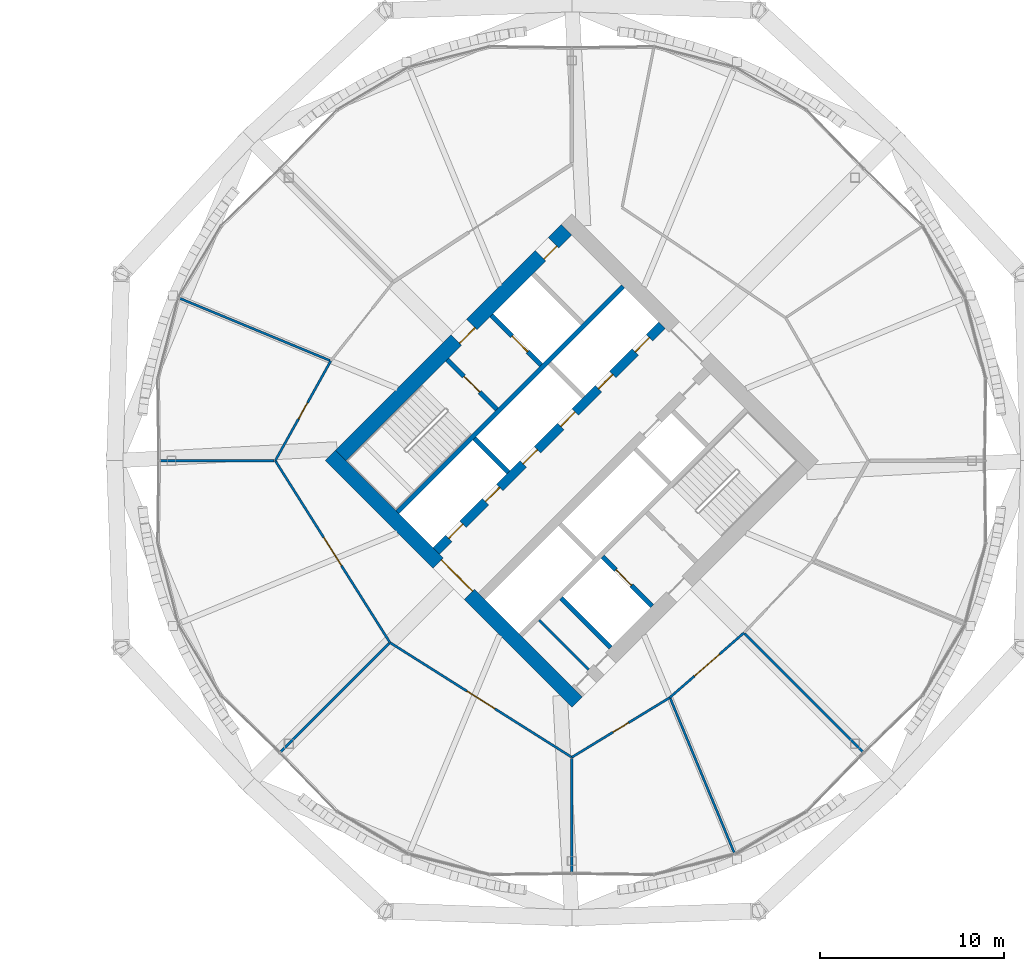
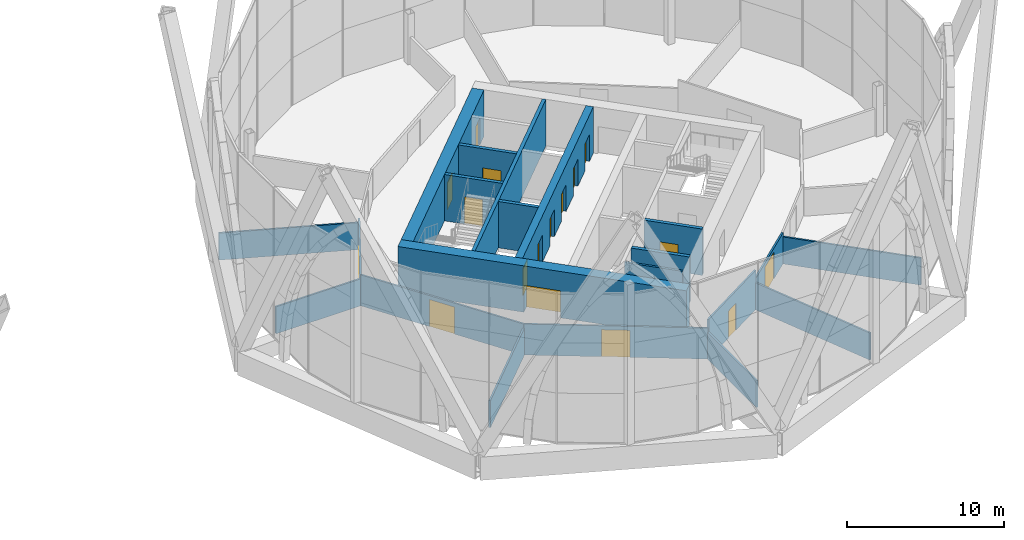
# One storey, part 30 of 37: 21 walls, 17 doors, 17 openings.
"""IFC4 building model written with IfcOpenShell, lengths in metres."""

from ifc_helpers import new_model, si_unit, direction, frame, frame_2d, origin, place, context, subcontext, project, spatial, rectangle, extrude, material, layer, layer_set, type_object, element, fill, save


model = new_model("IFC4")

# Units and contexts
model_context = context("Model", 3, precision=1e-05, world=origin(), true_north=direction((0.0, 1.0)))
body_context = subcontext(model_context, "Body", "Model", "MODEL_VIEW")
ifc_project = project(units=[si_unit("LENGTHUNIT", "METRE"), si_unit("AREAUNIT", "SQUARE_METRE"), si_unit("VOLUMEUNIT", "CUBIC_METRE"), si_unit("PLANEANGLEUNIT", "RADIAN"), si_unit("MASSUNIT", "GRAM", prefix="KILO")], contexts=[model_context])

# Site, building, storey
site_placement = place(None, origin())
site = spatial("IfcSite", under=ifc_project, at=site_placement, CompositionType="ELEMENT")
building_placement = place(site_placement, origin())
building = spatial("IfcBuilding", under=site, at=building_placement, Name="Ogive Gate Towers", CompositionType="ELEMENT")
storey_placement = place(building_placement, frame((0.0, 0.0, 32.39990234375)))
storey = spatial("IfcBuildingStorey", under=building, at=storey_placement, Name="L06", CompositionType="ELEMENT", Elevation=32.39990234375)

# Wall, openings, doors
ifc_material_1 = material(Name="Concrete C60/75", Category="concrete")
ifc_layer_1 = layer(ifc_material_1, 0.800048828125)
ifc_layer_set_1 = layer_set([ifc_layer_1], Name="Core wall 800 mm")
wall_type_1 = type_object("IfcWallType", Name="Core wall 800 mm", PredefinedType="SHEAR", material=ifc_layer_set_1)
wall_1_placement = place(storey_placement, frame((23.41357421875, 0.28271484375, 0.0), z_axis=(0.0, 0.0, 1.0), x_axis=(0.707106781187, 0.707106781187, 0.0)))
wall_1 = element("IfcWall", 1, at=wall_1_placement, inside=storey, type_object=wall_type_1, Name="T2 L06 Core wall 800 mm", PredefinedType="SHEAR", context=body_context, shape_type="SweptSolid", body=[
    extrude(rectangle(XDim=17.400146484375, YDim=0.800048828125, at=frame_2d((8.7001953125, 0.0))), origin(), (0.0, 0.0, 1.0), 3.60009765625),
])
opening_1_placement = place(wall_1_placement, frame((8.89990234375, 0.0, 0.0)))
opening_1 = element("IfcOpeningElement", 2, at=opening_1_placement, cuts=wall_1, Name="Opening KD-T2-L06-15", PredefinedType="OPENING", context=body_context, shape_type="SweptSolid", body=[
    extrude(rectangle(XDim=1.199951171875, YDim=2.10009765625, at=frame_2d((0.60009765625, 1.050048828125))), frame((0.0, 0.41015625, 0.0), z_axis=(0.0, -1.0, 0.0), x_axis=(1.0, 0.0, 0.0)), (0.0, 0.0, 1.0), 0.820068359375),
])
opening_2_placement = place(wall_1_placement, frame((15.39990234375, 0.0, 0.0)))
opening_2 = element("IfcOpeningElement", 3, at=opening_2_placement, cuts=wall_1, Name="Opening KD-T2-L06-17", PredefinedType="OPENING", context=body_context, shape_type="SweptSolid", body=[
    extrude(rectangle(XDim=1.0, YDim=2.10009765625, at=frame_2d((0.5, 1.050048828125))), frame((0.0, 0.41015625, 0.0), z_axis=(0.0, -1.0, 0.0), x_axis=(1.0, 0.0, 0.0)), (0.0, 0.0, 1.0), 0.820068359375),
])
ifc_material_2 = material(Name="Timber door", Category="wood")
door_type_1 = type_object("IfcDoorType", Name="Accessible WC door 1000 x 2100", OperationType="NOTDEFINED", PredefinedType="DOOR", material=ifc_material_2)
door_1_placement = place(opening_2_placement, origin())
door_1 = element("IfcDoor", 4, at=door_1_placement, inside=storey, type_object=door_type_1, Name="T2 L06 Core door", OperationType="SINGLE_SWING_RIGHT", OverallHeight=2.10009765625, OverallWidth=1.0, PredefinedType="DOOR", context=body_context, shape_type="SweptSolid", body=[
    extrude(rectangle(XDim=1.0, YDim=2.10009765625, at=frame_2d((0.5, 1.050048828125))), frame((0.0, -0.22509765625, 0.0), z_axis=(0.0, -1.0, 0.0), x_axis=(1.0, 0.0, 0.0)), (0.0, 0.0, 1.0), 0.050048828125),
])
fill(opening_2, door_1)
ifc_material_3 = material(Name="Steel fire door", Category="steel")
door_type_2 = type_object("IfcDoorType", Name="Core door FD60S 1200 x 2100", OperationType="NOTDEFINED", PredefinedType="DOOR", material=ifc_material_3)
door_2_placement = place(opening_1_placement, origin())
door_2 = element("IfcDoor", 5, at=door_2_placement, inside=storey, type_object=door_type_2, Name="T2 L06 Fire-fighting lobby door", OperationType="SINGLE_SWING_RIGHT", OverallHeight=2.10009765625, OverallWidth=1.199951171875, PredefinedType="DOOR", context=body_context, shape_type="SweptSolid", body=[
    extrude(rectangle(XDim=1.199951171875, YDim=2.10009765625, at=frame_2d((0.60009765625, 1.050048828125))), frame((0.0, -0.22509765625, 0.0), z_axis=(0.0, -1.0, 0.0), x_axis=(1.0, 0.0, 0.0)), (0.0, 0.0, 1.0), 0.050048828125),
])
fill(opening_1, door_2)

# Wall, opening, door
wall_2_placement = place(storey_placement, frame((36.28271484375, -13.152099609375, 0.0), z_axis=(0.0, 0.0, 1.0), x_axis=(-0.707106781187, 0.707106781187, 0.0)))
wall_2 = element("IfcWall", 6, at=wall_2_placement, inside=storey, type_object=wall_type_1, Name="T2 L06 Core wall 800 mm", PredefinedType="SHEAR", context=body_context, shape_type="SweptSolid", body=[
    extrude(rectangle(XDim=18.999755859375, YDim=0.800048828125, at=frame_2d((9.5, 0.0))), origin(), (0.0, 0.0, 1.0), 3.60009765625),
])
opening_3_placement = place(wall_2_placement, frame((8.300048828125, 0.0, 0.0)))
opening_3 = element("IfcOpeningElement", 7, at=opening_3_placement, cuts=wall_2, Name="Opening KD-T2-L06-01", PredefinedType="OPENING", context=body_context, shape_type="SweptSolid", body=[
    extrude(rectangle(XDim=2.39990234375, YDim=2.10009765625, at=frame_2d((1.199951171875, 1.050048828125))), frame((0.0, 0.41015625, 0.0), z_axis=(0.0, -1.0, 0.0), x_axis=(1.0, 0.0, 0.0)), (0.0, 0.0, 1.0), 0.820068359375),
])
door_type_3 = type_object("IfcDoorType", Name="Core double door FD60S 2400 x 2100", OperationType="DOUBLE_DOOR_SINGLE_SWING", PredefinedType="DOOR", material=ifc_material_3)
door_3_placement = place(opening_3_placement, origin())
door_3 = element("IfcDoor", 8, at=door_3_placement, inside=storey, type_object=door_type_3, Name="T2 L06 Core door double", OperationType="DOUBLE_DOOR_SINGLE_SWING", OverallHeight=2.10009765625, OverallWidth=2.39990234375, PredefinedType="DOOR", context=body_context, shape_type="SweptSolid", body=[
    extrude(rectangle(XDim=2.39990234375, YDim=2.10009765625, at=frame_2d((1.199951171875, 1.050048828125))), frame((0.0, -0.22509765625, 0.0), z_axis=(0.0, -1.0, 0.0), x_axis=(1.0, 0.0, 0.0)), (0.0, 0.0, 1.0), 0.050048828125),
])
fill(opening_3, door_3)

# Walls
ifc_material_4 = material(Name="Gypsum board partition")
ifc_layer_2 = layer(ifc_material_4, 0.125)
ifc_layer_set_2 = layer_set([ifc_layer_2], Name="Partition 125")
wall_type_2 = type_object("IfcWallType", Name="Partition 125", PredefinedType="PARTITIONING", material=ifc_layer_set_2)
wall_3_placement = place(storey_placement, frame((14.547119140625, 8.885986328125, 0.0), z_axis=(0.0, 0.0, 1.0), x_axis=(0.923883404606, -0.382674084169, 0.0)))
element("IfcWall", 9, at=wall_3_placement, inside=storey, type_object=wall_type_2, Name="Partition T2-L06-006", PredefinedType="PARTITIONING", context=body_context, shape_type="SweptSolid", body=[
    extrude(rectangle(XDim=8.942626953125, YDim=0.125, at=frame_2d((4.47119140625, 0.0))), origin(), (0.0, 0.0, 1.0), 2.10009765625),
])
wall_4_placement = place(storey_placement, frame((13.591064453125, 0.0, 0.0), z_axis=(0.0, 0.0, 1.0), x_axis=(1.0, 0.0, 0.0)))
element("IfcWall", 10, at=wall_4_placement, inside=storey, type_object=wall_type_2, Name="Partition T2-L06-007", PredefinedType="PARTITIONING", context=body_context, shape_type="SweptSolid", body=[
    extrude(rectangle(XDim=6.1865234375, YDim=0.125, at=frame_2d((3.09326171875, 0.0))), origin(), (0.0, 0.0, 1.0), 2.10009765625),
])
wall_5_placement = place(storey_placement, frame((20.154296875, -15.845703125, 0.0), z_axis=(0.0, 0.0, 1.0), x_axis=(0.707106781187, 0.707106781187, 0.0)))
element("IfcWall", 11, at=wall_5_placement, inside=storey, type_object=wall_type_2, Name="Partition T2-L06-008", PredefinedType="PARTITIONING", context=body_context, shape_type="SweptSolid", body=[
    extrude(rectangle(XDim=8.332763671875, YDim=0.125, at=frame_2d((4.16650390625, 0.0))), origin(), (0.0, 0.0, 1.0), 2.10009765625),
])
wall_6_placement = place(storey_placement, frame((36.0, -22.408935546875, 0.0), z_axis=(0.0, 0.0, 1.0), x_axis=(0.0, 1.0, 0.0)))
element("IfcWall", 12, at=wall_6_placement, inside=storey, type_object=wall_type_2, Name="Partition T2-L06-009", PredefinedType="PARTITIONING", context=body_context, shape_type="SweptSolid", body=[
    extrude(rectangle(XDim=6.1865234375, YDim=0.125, at=frame_2d((3.09326171875, 0.0))), origin(), (0.0, 0.0, 1.0), 2.10009765625),
])
wall_7_placement = place(storey_placement, frame((44.885986328125, -21.452880859375, 0.0), z_axis=(0.0, 0.0, 1.0), x_axis=(-0.382668439305, 0.923885742698, 0.0)))
element("IfcWall", 13, at=wall_7_placement, inside=storey, type_object=wall_type_2, Name="Partition T2-L06-010", PredefinedType="PARTITIONING", context=body_context, shape_type="SweptSolid", body=[
    extrude(rectangle(XDim=9.19287109375, YDim=0.125, at=frame_2d((4.596435546875, 0.0))), origin(), (0.0, 0.0, 1.0), 2.10009765625),
])
wall_8_placement = place(storey_placement, frame((51.845703125, -15.845703125, 0.0), z_axis=(0.0, 0.0, 1.0), x_axis=(-0.707106781187, 0.707106781187, 0.0)))
element("IfcWall", 14, at=wall_8_placement, inside=storey, type_object=wall_type_2, Name="Partition T2-L06-011", PredefinedType="PARTITIONING", context=body_context, shape_type="SweptSolid", body=[
    extrude(rectangle(XDim=9.08251953125, YDim=0.125, at=frame_2d((4.541259765625, 0.0))), origin(), (0.0, 0.0, 1.0), 2.10009765625),
])

# Wall, opening, door
wall_9_placement = place(storey_placement, frame((22.866943359375, 5.43994140625, 0.0), z_axis=(0.0, 0.0, 1.0), x_axis=(-0.486215546884, -0.873838910766, 0.0)))
wall_9 = element("IfcWall", 15, at=wall_9_placement, inside=storey, type_object=wall_type_2, Name="Partition T2-L06-015", PredefinedType="PARTITIONING", context=body_context, shape_type="SweptSolid", body=[
    extrude(rectangle(XDim=6.225341796875, YDim=0.125, at=frame_2d((3.11279296875, 0.0))), origin(), (0.0, 0.0, 1.0), 2.400146484375),
])
opening_4_placement = place(wall_9_placement, frame((2.613037109375, 0.0, 0.0)))
opening_4 = element("IfcOpeningElement", 16, at=opening_4_placement, cuts=wall_9, Name="Opening T2-L06-D03", PredefinedType="OPENING", context=body_context, shape_type="SweptSolid", body=[
    extrude(rectangle(XDim=1.0, YDim=2.10009765625, at=frame_2d((0.5, 1.050048828125))), frame((0.0, 0.072509765625, 0.0), z_axis=(0.0, -1.0, 0.0), x_axis=(1.0, 0.0, 0.0)), (0.0, 0.0, 1.0), 0.14501953125),
])
door_type_4 = type_object("IfcDoorType", Name="Door 1000", OperationType="NOTDEFINED", PredefinedType="DOOR", material=ifc_material_2)
door_4_placement = place(opening_4_placement, origin())
door_4 = element("IfcDoor", 17, at=door_4_placement, inside=storey, type_object=door_type_4, Name="Door T2-L06-D03", OperationType="SINGLE_SWING_RIGHT", OverallHeight=2.10009765625, OverallWidth=1.0, PredefinedType="DOOR", context=body_context, shape_type="SweptSolid", body=[
    extrude(rectangle(XDim=1.0, YDim=2.10009765625, at=frame_2d((0.5, 1.050048828125))), frame((0.0, 0.02490234375, 0.0), z_axis=(0.0, -1.0, 0.0), x_axis=(1.0, 0.0, 0.0)), (0.0, 0.0, 1.0), 0.050048828125),
])
fill(opening_4, door_4)

wall_10_placement = place(storey_placement, frame((19.840087890625, 0.0, 0.0), z_axis=(0.0, 0.0, 1.0), x_axis=(0.533498973609, -0.845800712437, 0.0)))
wall_10 = element("IfcWall", 18, at=wall_10_placement, inside=storey, type_object=wall_type_2, Name="Partition T2-L06-016", PredefinedType="PARTITIONING", context=body_context, shape_type="SweptSolid", body=[
    extrude(rectangle(XDim=11.716064453125, YDim=0.125, at=frame_2d((5.85791015625, 0.0))), origin(), (0.0, 0.0, 1.0), 2.400146484375),
])
opening_5_placement = place(wall_10_placement, frame((4.9580078125, 0.0, 0.0)))
opening_5 = element("IfcOpeningElement", 19, at=opening_5_placement, cuts=wall_10, Name="Opening T2-L06-D04", PredefinedType="OPENING", context=body_context, shape_type="SweptSolid", body=[
    extrude(rectangle(XDim=1.800048828125, YDim=2.10009765625, at=frame_2d((0.89990234375, 1.050048828125))), frame((0.0, 0.072509765625, 0.0), z_axis=(0.0, -1.0, 0.0), x_axis=(1.0, 0.0, 0.0)), (0.0, 0.0, 1.0), 0.14501953125),
])
door_type_5 = type_object("IfcDoorType", Name="Door pair 1800", OperationType="NOTDEFINED", PredefinedType="DOOR", material=ifc_material_2)
door_5_placement = place(opening_5_placement, origin())
door_5 = element("IfcDoor", 20, at=door_5_placement, inside=storey, type_object=door_type_5, Name="Door T2-L06-D04", OperationType="DOUBLE_DOOR_DOUBLE_SWING", OverallHeight=2.10009765625, OverallWidth=1.800048828125, PredefinedType="DOOR", context=body_context, shape_type="SweptSolid", body=[
    extrude(rectangle(XDim=1.800048828125, YDim=2.10009765625, at=frame_2d((0.89990234375, 1.050048828125))), frame((0.0, 0.02490234375, 0.0), z_axis=(0.0, -1.0, 0.0), x_axis=(1.0, 0.0, 0.0)), (0.0, 0.0, 1.0), 0.050048828125),
])
fill(opening_5, door_5)

wall_11_placement = place(storey_placement, frame((26.090576171875, -9.909423828125, 0.0), z_axis=(0.0, 0.0, 1.0), x_axis=(0.845800712437, -0.533498973609, 0.0)))
wall_11 = element("IfcWall", 21, at=wall_11_placement, inside=storey, type_object=wall_type_2, Name="Partition T2-L06-017", PredefinedType="PARTITIONING", context=body_context, shape_type="SweptSolid", body=[
    extrude(rectangle(XDim=11.716064453125, YDim=0.125, at=frame_2d((5.85791015625, 0.0))), origin(), (0.0, 0.0, 1.0), 2.400146484375),
])
opening_6_placement = place(wall_11_placement, frame((4.9580078125, 0.0, 0.0)))
opening_6 = element("IfcOpeningElement", 22, at=opening_6_placement, cuts=wall_11, Name="Opening T2-L06-D05", PredefinedType="OPENING", context=body_context, shape_type="SweptSolid", body=[
    extrude(rectangle(XDim=1.800048828125, YDim=2.10009765625, at=frame_2d((0.89990234375, 1.050048828125))), frame((0.0, 0.072509765625, 0.0), z_axis=(0.0, -1.0, 0.0), x_axis=(1.0, 0.0, 0.0)), (0.0, 0.0, 1.0), 0.14501953125),
])
door_6_placement = place(opening_6_placement, origin())
door_6 = element("IfcDoor", 23, at=door_6_placement, inside=storey, type_object=door_type_5, Name="Door T2-L06-D05", OperationType="DOUBLE_DOOR_DOUBLE_SWING", OverallHeight=2.10009765625, OverallWidth=1.800048828125, PredefinedType="DOOR", context=body_context, shape_type="SweptSolid", body=[
    extrude(rectangle(XDim=1.800048828125, YDim=2.10009765625, at=frame_2d((0.89990234375, 1.050048828125))), frame((0.0, 0.02490234375, 0.0), z_axis=(0.0, -1.0, 0.0), x_axis=(1.0, 0.0, 0.0)), (0.0, 0.0, 1.0), 0.050048828125),
])
fill(opening_6, door_6)

wall_12_placement = place(storey_placement, frame((36.0, -16.159912109375, 0.0), z_axis=(0.0, 0.0, 1.0), x_axis=(0.853857910754, 0.520506165423, 0.0)))
wall_12 = element("IfcWall", 24, at=wall_12_placement, inside=storey, type_object=wall_type_2, Name="Partition T2-L06-018", PredefinedType="PARTITIONING", context=body_context, shape_type="SweptSolid", body=[
    extrude(rectangle(XDim=6.259033203125, YDim=0.125, at=frame_2d((3.12939453125, 0.0))), origin(), (0.0, 0.0, 1.0), 3.050048828125),
])
opening_7_placement = place(wall_12_placement, frame((2.62890625, 0.0, 0.0)))
opening_7 = element("IfcOpeningElement", 25, at=opening_7_placement, cuts=wall_12, Name="Opening T2-L06-D06", PredefinedType="OPENING", context=body_context, shape_type="SweptSolid", body=[
    extrude(rectangle(XDim=1.0, YDim=2.10009765625, at=frame_2d((0.5, 1.050048828125))), frame((0.0, 0.072509765625, 0.0), z_axis=(0.0, -1.0, 0.0), x_axis=(1.0, 0.0, 0.0)), (0.0, 0.0, 1.0), 0.14501953125),
])
door_7_placement = place(opening_7_placement, origin())
door_7 = element("IfcDoor", 26, at=door_7_placement, inside=storey, type_object=door_type_4, Name="Door T2-L06-D06", OperationType="SINGLE_SWING_LEFT", OverallHeight=2.10009765625, OverallWidth=1.0, PredefinedType="DOOR", context=body_context, shape_type="SweptSolid", body=[
    extrude(rectangle(XDim=1.0, YDim=2.10009765625, at=frame_2d((0.5, 1.050048828125))), frame((0.0, 0.02490234375, 0.0), z_axis=(0.0, -1.0, 0.0), x_axis=(1.0, 0.0, 0.0)), (0.0, 0.0, 1.0), 0.050048828125),
])
fill(opening_7, door_7)

wall_13_placement = place(storey_placement, frame((41.34423828125, -12.902099609375, 0.0), z_axis=(0.0, 0.0, 1.0), x_axis=(0.753279307285, 0.657700756588, 0.0)))
wall_13 = element("IfcWall", 27, at=wall_13_placement, inside=storey, type_object=wall_type_2, Name="Partition T2-L06-019", PredefinedType="PARTITIONING", context=body_context, shape_type="SweptSolid", body=[
    extrude(rectangle(XDim=5.3564453125, YDim=0.125, at=frame_2d((2.67822265625, 0.0))), origin(), (0.0, 0.0, 1.0), 2.400146484375),
])
opening_8_placement = place(wall_13_placement, frame((1.778076171875, 0.0, 0.0)))
opening_8 = element("IfcOpeningElement", 28, at=opening_8_placement, cuts=wall_13, Name="Opening T2-L06-D07", PredefinedType="OPENING", context=body_context, shape_type="SweptSolid", body=[
    extrude(rectangle(XDim=1.800048828125, YDim=2.10009765625, at=frame_2d((0.89990234375, 1.050048828125))), frame((0.0, 0.072509765625, 0.0), z_axis=(0.0, -1.0, 0.0), x_axis=(1.0, 0.0, 0.0)), (0.0, 0.0, 1.0), 0.14501953125),
])
door_8_placement = place(opening_8_placement, origin())
door_8 = element("IfcDoor", 29, at=door_8_placement, inside=storey, type_object=door_type_5, Name="Door T2-L06-D07", OperationType="DOUBLE_DOOR_DOUBLE_SWING", OverallHeight=2.10009765625, OverallWidth=1.800048828125, PredefinedType="DOOR", context=body_context, shape_type="SweptSolid", body=[
    extrude(rectangle(XDim=1.800048828125, YDim=2.10009765625, at=frame_2d((0.89990234375, 1.050048828125))), frame((0.0, 0.02490234375, 0.0), z_axis=(0.0, -1.0, 0.0), x_axis=(1.0, 0.0, 0.0)), (0.0, 0.0, 1.0), 0.050048828125),
])
fill(opening_8, door_8)

# Walls
ifc_layer_3 = layer(ifc_material_4, 0.14990234375)
ifc_layer_set_3 = layer_set([ifc_layer_3], Name="Room partition 150 mm")
wall_type_3 = type_object("IfcWallType", Name="Room partition 150 mm", PredefinedType="PARTITIONING", material=ifc_layer_set_3)
wall_14_placement = place(storey_placement, frame((36.919189453125, -11.384521484375, 0.0), z_axis=(0.0, 0.0, 1.0), x_axis=(-0.707074866995, 0.707138693938, 0.0)))
element("IfcWall", 30, at=wall_14_placement, inside=storey, type_object=wall_type_3, Name="T2 L06 Room partition 150 mm", PredefinedType="PARTITIONING", context=body_context, shape_type="SweptSolid", body=[
    extrude(rectangle(XDim=3.824951171875, YDim=0.14990234375, at=frame_2d((1.91259765625, 0.0))), origin(), (0.0, 0.0, 1.0), 3.60009765625),
])
ifc_layer_4 = layer(ifc_material_1, 0.25)
ifc_layer_set_4 = layer_set([ifc_layer_4], Name="Shaft wall 250 mm")
wall_type_4 = type_object("IfcWallType", Name="Shaft wall 250 mm", PredefinedType="SHEAR", material=ifc_layer_set_4)
wall_15_placement = place(storey_placement, frame((26.489501953125, -2.793212890625, 0.0), z_axis=(0.0, 0.0, 1.0), x_axis=(0.707106781187, 0.707106781187, 0.0)))
element("IfcWall", 31, at=wall_15_placement, inside=storey, type_object=wall_type_4, Name="T2 L06 Shaft wall 250 mm", PredefinedType="SHEAR", context=body_context, shape_type="SweptSolid", body=[
    extrude(rectangle(XDim=17.400146484375, YDim=0.25, at=frame_2d((8.7001953125, 0.0))), origin(), (0.0, 0.0, 1.0), 3.60009765625),
])
wall_16_placement = place(storey_placement, frame((38.121337890625, -10.182373046875, 0.0), z_axis=(0.0, 0.0, 1.0), x_axis=(-0.707138693938, 0.707074866995, 0.0)))
element("IfcWall", 32, at=wall_16_placement, inside=storey, type_object=wall_type_4, Name="T2 L06 Shaft wall 250 mm", PredefinedType="SHEAR", context=body_context, shape_type="SweptSolid", body=[
    extrude(rectangle(XDim=3.824951171875, YDim=0.25, at=frame_2d((1.91259765625, 0.0))), origin(), (0.0, 0.0, 1.0), 3.60009765625),
])
wall_17_placement = place(storey_placement, frame((32.53515625, -0.636474609375, 0.0), z_axis=(0.0, 0.0, 1.0), x_axis=(-0.707106781187, 0.707106781187, 0.0)))
element("IfcWall", 33, at=wall_17_placement, inside=storey, type_object=wall_type_4, Name="T2 L06 Shaft wall 250 mm", PredefinedType="SHEAR", context=body_context, shape_type="SweptSolid", body=[
    extrude(rectangle(XDim=2.625, YDim=0.25, at=frame_2d((1.3125, 0.0))), origin(), (0.0, 0.0, 1.0), 3.60009765625),
])

# Wall, opening, door
wall_18_placement = place(storey_placement, frame((40.384033203125, -7.919677734375, 0.0), z_axis=(0.0, 0.0, 1.0), x_axis=(-0.707074866995, 0.707138693938, 0.0)))
wall_18 = element("IfcWall", 34, at=wall_18_placement, inside=storey, type_object=wall_type_4, Name="T2 L06 Shaft wall 250 mm", PredefinedType="SHEAR", context=body_context, shape_type="SweptSolid", body=[
    extrude(rectangle(XDim=3.824951171875, YDim=0.25, at=frame_2d((1.91259765625, 0.0))), origin(), (0.0, 0.0, 1.0), 3.60009765625),
])
opening_9_placement = place(wall_18_placement, frame((1.60009765625, 0.0, 0.0)))
opening_9 = element("IfcOpeningElement", 35, at=opening_9_placement, cuts=wall_18, Name="Opening LD-T2-L06-11", PredefinedType="OPENING", context=body_context, shape_type="SweptSolid", body=[
    extrude(rectangle(XDim=1.199951171875, YDim=2.10009765625, at=frame_2d((0.60009765625, 1.050048828125))), frame((0.0, 0.135009765625, 0.0), z_axis=(0.0, -1.0, 0.0), x_axis=(1.0, 0.0, 0.0)), (0.0, 0.0, 1.0), 0.27001953125),
])
ifc_material_5 = material(Name="Stainless steel landing door", Category="steel")
door_type_6 = type_object("IfcDoorType", Name="Landing door 1200 x 2100", OperationType="SLIDING_TO_LEFT", PredefinedType="DOOR", material=ifc_material_5)
door_9_placement = place(opening_9_placement, origin())
door_9 = element("IfcDoor", 36, at=door_9_placement, inside=storey, type_object=door_type_6, Name="T2 L06 Lift landing door FF2", OperationType="SLIDING_TO_LEFT", OverallHeight=2.10009765625, OverallWidth=1.199951171875, PredefinedType="DOOR", context=body_context, shape_type="SweptSolid", body=[
    extrude(rectangle(XDim=1.199951171875, YDim=2.10009765625, at=frame_2d((0.60009765625, 1.050048828125))), frame((0.0, 0.02490234375, 0.0), z_axis=(0.0, -1.0, 0.0), x_axis=(1.0, 0.0, 0.0)), (0.0, 0.0, 1.0), 0.050048828125),
])
fill(opening_9, door_9)

wall_19_placement = place(storey_placement, frame((31.91650390625, 2.810791015625, 0.0), z_axis=(0.0, 0.0, 1.0), x_axis=(-0.707106781187, 0.707106781187, 0.0)))
wall_19 = element("IfcWall", 37, at=wall_19_placement, inside=storey, type_object=wall_type_4, Name="T2 L06 Shaft wall 250 mm", PredefinedType="SHEAR", context=body_context, shape_type="SweptSolid", body=[
    extrude(rectangle(XDim=3.824951171875, YDim=0.25, at=frame_2d((1.91259765625, 0.0))), origin(), (0.0, 0.0, 1.0), 3.60009765625),
])
opening_10_placement = place(wall_19_placement, frame((1.324951171875, 0.0, 0.0)))
opening_10 = element("IfcOpeningElement", 38, at=opening_10_placement, cuts=wall_19, Name="Opening KD-T2-L06-13", PredefinedType="OPENING", context=body_context, shape_type="SweptSolid", body=[
    extrude(rectangle(XDim=1.199951171875, YDim=2.10009765625, at=frame_2d((0.60009765625, 1.050048828125))), frame((0.0, 0.135009765625, 0.0), z_axis=(0.0, -1.0, 0.0), x_axis=(1.0, 0.0, 0.0)), (0.0, 0.0, 1.0), 0.27001953125),
])
door_10_placement = place(opening_10_placement, origin())
door_10 = element("IfcDoor", 39, at=door_10_placement, inside=storey, type_object=door_type_2, Name="T2 L06 Stair door", OperationType="SINGLE_SWING_RIGHT", OverallHeight=2.10009765625, OverallWidth=1.199951171875, PredefinedType="DOOR", context=body_context, shape_type="SweptSolid", body=[
    extrude(rectangle(XDim=1.199951171875, YDim=2.10009765625, at=frame_2d((0.60009765625, 1.050048828125))), frame((0.0, 0.02490234375, 0.0), z_axis=(0.0, -1.0, 0.0), x_axis=(1.0, 0.0, 0.0)), (0.0, 0.0, 1.0), 0.050048828125),
])
fill(opening_10, door_10)

wall_20_placement = place(storey_placement, frame((34.320556640625, 5.21484375, 0.0), z_axis=(0.0, 0.0, 1.0), x_axis=(-0.707074866995, 0.707138693938, 0.0)))
wall_20 = element("IfcWall", 40, at=wall_20_placement, inside=storey, type_object=wall_type_4, Name="T2 L06 Shaft wall 250 mm", PredefinedType="SHEAR", context=body_context, shape_type="SweptSolid", body=[
    extrude(rectangle(XDim=3.824951171875, YDim=0.25, at=frame_2d((1.91259765625, 0.0))), origin(), (0.0, 0.0, 1.0), 3.60009765625),
])
opening_11_placement = place(wall_20_placement, frame((1.02490234375, 0.0, 0.0)))
opening_11 = element("IfcOpeningElement", 41, at=opening_11_placement, cuts=wall_20, Name="Opening LD-T2-L06-10", PredefinedType="OPENING", context=body_context, shape_type="SweptSolid", body=[
    extrude(rectangle(XDim=1.199951171875, YDim=2.10009765625, at=frame_2d((0.60009765625, 1.050048828125))), frame((0.0, 0.135009765625, 0.0), z_axis=(0.0, -1.0, 0.0), x_axis=(1.0, 0.0, 0.0)), (0.0, 0.0, 1.0), 0.27001953125),
])
door_11_placement = place(opening_11_placement, origin())
door_11 = element("IfcDoor", 42, at=door_11_placement, inside=storey, type_object=door_type_6, Name="T2 L06 Lift landing door FF1", OperationType="SLIDING_TO_LEFT", OverallHeight=2.10009765625, OverallWidth=1.199951171875, PredefinedType="DOOR", context=body_context, shape_type="SweptSolid", body=[
    extrude(rectangle(XDim=1.199951171875, YDim=2.10009765625, at=frame_2d((0.60009765625, 1.050048828125))), frame((0.0, 0.02490234375, 0.0), z_axis=(0.0, -1.0, 0.0), x_axis=(1.0, 0.0, 0.0)), (0.0, 0.0, 1.0), 0.050048828125),
])
fill(opening_11, door_11)

# Wall, openings, doors
ifc_layer_5 = layer(ifc_material_1, 0.5)
ifc_layer_set_5 = layer_set([ifc_layer_5], Name="Spine wall 500 mm")
wall_type_5 = type_object("IfcWallType", Name="Spine wall 500 mm", PredefinedType="SHEAR", material=ifc_layer_set_5)
wall_21_placement = place(storey_placement, frame((28.610595703125, -4.914306640625, 0.0), z_axis=(0.0, 0.0, 1.0), x_axis=(0.707106781187, 0.707106781187, 0.0)))
wall_21 = element("IfcWall", 43, at=wall_21_placement, inside=storey, type_object=wall_type_5, Name="T2 L06 Spine wall 500 mm", PredefinedType="SHEAR", context=body_context, shape_type="SweptSolid", body=[
    extrude(rectangle(XDim=17.400146484375, YDim=0.5, at=frame_2d((8.7001953125, 0.0))), origin(), (0.0, 0.0, 1.0), 3.60009765625),
])
opening_12_placement = place(wall_21_placement, frame((0.96240234375, 0.0, 0.0)))
opening_12 = element("IfcOpeningElement", 44, at=opening_12_placement, cuts=wall_21, Name="Opening LD-T2-L06-03", PredefinedType="OPENING", context=body_context, shape_type="SweptSolid", body=[
    extrude(rectangle(XDim=1.10009765625, YDim=2.10009765625, at=frame_2d((0.550048828125, 1.050048828125))), frame((0.0, 0.260009765625, 0.0), z_axis=(0.0, -1.0, 0.0), x_axis=(1.0, 0.0, 0.0)), (0.0, 0.0, 1.0), 0.52001953125),
])
opening_13_placement = place(wall_21_placement, frame((3.800048828125, 0.0, 0.0)))
opening_13 = element("IfcOpeningElement", 45, at=opening_13_placement, cuts=wall_21, Name="Opening LD-T2-L06-04", PredefinedType="OPENING", context=body_context, shape_type="SweptSolid", body=[
    extrude(rectangle(XDim=1.10009765625, YDim=2.10009765625, at=frame_2d((0.550048828125, 1.050048828125))), frame((0.0, 0.260009765625, 0.0), z_axis=(0.0, -1.0, 0.0), x_axis=(1.0, 0.0, 0.0)), (0.0, 0.0, 1.0), 0.52001953125),
])
opening_14_placement = place(wall_21_placement, frame((6.699951171875, 0.0, 0.0)))
opening_14 = element("IfcOpeningElement", 46, at=opening_14_placement, cuts=wall_21, Name="Opening LD-T2-L06-05", PredefinedType="OPENING", context=body_context, shape_type="SweptSolid", body=[
    extrude(rectangle(XDim=1.10009765625, YDim=2.10009765625, at=frame_2d((0.550048828125, 1.050048828125))), frame((0.0, 0.260009765625, 0.0), z_axis=(0.0, -1.0, 0.0), x_axis=(1.0, 0.0, 0.0)), (0.0, 0.0, 1.0), 0.52001953125),
])
opening_15_placement = place(wall_21_placement, frame((9.60009765625, 0.0, 0.0)))
opening_15 = element("IfcOpeningElement", 47, at=opening_15_placement, cuts=wall_21, Name="Opening LD-T2-L06-06", PredefinedType="OPENING", context=body_context, shape_type="SweptSolid", body=[
    extrude(rectangle(XDim=1.10009765625, YDim=2.10009765625, at=frame_2d((0.550048828125, 1.050048828125))), frame((0.0, 0.260009765625, 0.0), z_axis=(0.0, -1.0, 0.0), x_axis=(1.0, 0.0, 0.0)), (0.0, 0.0, 1.0), 0.52001953125),
])
opening_16_placement = place(wall_21_placement, frame((12.5, 0.0, 0.0)))
opening_16 = element("IfcOpeningElement", 48, at=opening_16_placement, cuts=wall_21, Name="Opening LD-T2-L06-07", PredefinedType="OPENING", context=body_context, shape_type="SweptSolid", body=[
    extrude(rectangle(XDim=1.10009765625, YDim=2.10009765625, at=frame_2d((0.550048828125, 1.050048828125))), frame((0.0, 0.260009765625, 0.0), z_axis=(0.0, -1.0, 0.0), x_axis=(1.0, 0.0, 0.0)), (0.0, 0.0, 1.0), 0.52001953125),
])
opening_17_placement = place(wall_21_placement, frame((15.33740234375, 0.0, 0.0)))
opening_17 = element("IfcOpeningElement", 49, at=opening_17_placement, cuts=wall_21, Name="Opening LD-T2-L06-08", PredefinedType="OPENING", context=body_context, shape_type="SweptSolid", body=[
    extrude(rectangle(XDim=1.10009765625, YDim=2.10009765625, at=frame_2d((0.550048828125, 1.050048828125))), frame((0.0, 0.260009765625, 0.0), z_axis=(0.0, -1.0, 0.0), x_axis=(1.0, 0.0, 0.0)), (0.0, 0.0, 1.0), 0.52001953125),
])
door_type_7 = type_object("IfcDoorType", Name="Landing door 1100 x 2100", OperationType="SLIDING_TO_LEFT", PredefinedType="DOOR", material=ifc_material_5)
door_12_placement = place(opening_12_placement, origin())
door_12 = element("IfcDoor", 50, at=door_12_placement, inside=storey, type_object=door_type_7, Name="T2 L06 Lift landing door A1", OperationType="SLIDING_TO_LEFT", OverallHeight=2.10009765625, OverallWidth=1.10009765625, PredefinedType="DOOR", context=body_context, shape_type="SweptSolid", body=[
    extrude(rectangle(XDim=1.10009765625, YDim=2.10009765625, at=frame_2d((0.550048828125, 1.050048828125))), frame((0.0, 0.02490234375, 0.0), z_axis=(0.0, -1.0, 0.0), x_axis=(1.0, 0.0, 0.0)), (0.0, 0.0, 1.0), 0.050048828125),
])
fill(opening_12, door_12)
door_13_placement = place(opening_13_placement, origin())
door_13 = element("IfcDoor", 51, at=door_13_placement, inside=storey, type_object=door_type_7, Name="T2 L06 Lift landing door A2", OperationType="SLIDING_TO_LEFT", OverallHeight=2.10009765625, OverallWidth=1.10009765625, PredefinedType="DOOR", context=body_context, shape_type="SweptSolid", body=[
    extrude(rectangle(XDim=1.10009765625, YDim=2.10009765625, at=frame_2d((0.550048828125, 1.050048828125))), frame((0.0, 0.02490234375, 0.0), z_axis=(0.0, -1.0, 0.0), x_axis=(1.0, 0.0, 0.0)), (0.0, 0.0, 1.0), 0.050048828125),
])
fill(opening_13, door_13)
door_14_placement = place(opening_14_placement, origin())
door_14 = element("IfcDoor", 52, at=door_14_placement, inside=storey, type_object=door_type_7, Name="T2 L06 Lift landing door A3", OperationType="SLIDING_TO_LEFT", OverallHeight=2.10009765625, OverallWidth=1.10009765625, PredefinedType="DOOR", context=body_context, shape_type="SweptSolid", body=[
    extrude(rectangle(XDim=1.10009765625, YDim=2.10009765625, at=frame_2d((0.550048828125, 1.050048828125))), frame((0.0, 0.02490234375, 0.0), z_axis=(0.0, -1.0, 0.0), x_axis=(1.0, 0.0, 0.0)), (0.0, 0.0, 1.0), 0.050048828125),
])
fill(opening_14, door_14)
door_15_placement = place(opening_15_placement, origin())
door_15 = element("IfcDoor", 53, at=door_15_placement, inside=storey, type_object=door_type_7, Name="T2 L06 Lift landing door A4", OperationType="SLIDING_TO_LEFT", OverallHeight=2.10009765625, OverallWidth=1.10009765625, PredefinedType="DOOR", context=body_context, shape_type="SweptSolid", body=[
    extrude(rectangle(XDim=1.10009765625, YDim=2.10009765625, at=frame_2d((0.550048828125, 1.050048828125))), frame((0.0, 0.02490234375, 0.0), z_axis=(0.0, -1.0, 0.0), x_axis=(1.0, 0.0, 0.0)), (0.0, 0.0, 1.0), 0.050048828125),
])
fill(opening_15, door_15)
door_16_placement = place(opening_16_placement, origin())
door_16 = element("IfcDoor", 54, at=door_16_placement, inside=storey, type_object=door_type_7, Name="T2 L06 Lift landing door A5", OperationType="SLIDING_TO_LEFT", OverallHeight=2.10009765625, OverallWidth=1.10009765625, PredefinedType="DOOR", context=body_context, shape_type="SweptSolid", body=[
    extrude(rectangle(XDim=1.10009765625, YDim=2.10009765625, at=frame_2d((0.550048828125, 1.050048828125))), frame((0.0, 0.02490234375, 0.0), z_axis=(0.0, -1.0, 0.0), x_axis=(1.0, 0.0, 0.0)), (0.0, 0.0, 1.0), 0.050048828125),
])
fill(opening_16, door_16)
door_17_placement = place(opening_17_placement, origin())
door_17 = element("IfcDoor", 55, at=door_17_placement, inside=storey, type_object=door_type_7, Name="T2 L06 Lift landing door A6", OperationType="SLIDING_TO_LEFT", OverallHeight=2.10009765625, OverallWidth=1.10009765625, PredefinedType="DOOR", context=body_context, shape_type="SweptSolid", body=[
    extrude(rectangle(XDim=1.10009765625, YDim=2.10009765625, at=frame_2d((0.550048828125, 1.050048828125))), frame((0.0, 0.02490234375, 0.0), z_axis=(0.0, -1.0, 0.0), x_axis=(1.0, 0.0, 0.0)), (0.0, 0.0, 1.0), 0.050048828125),
])
fill(opening_17, door_17)

save(model, "model.ifc")
